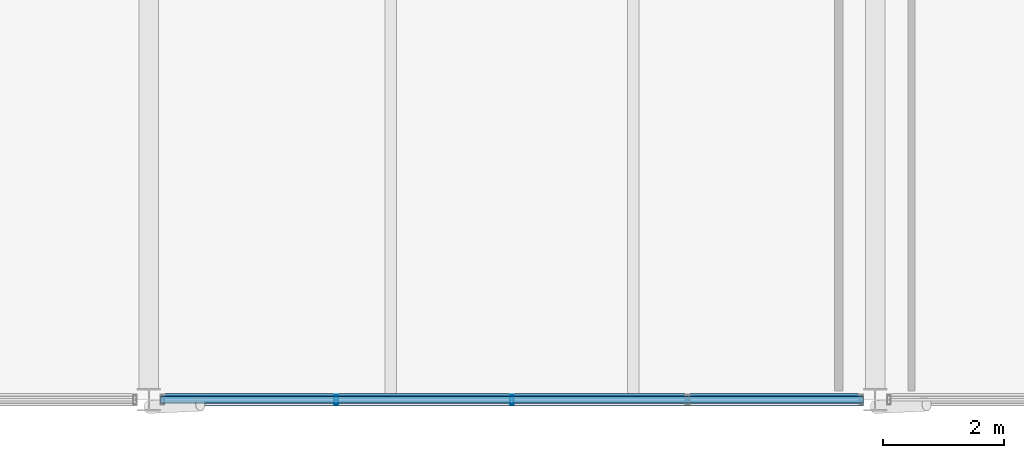
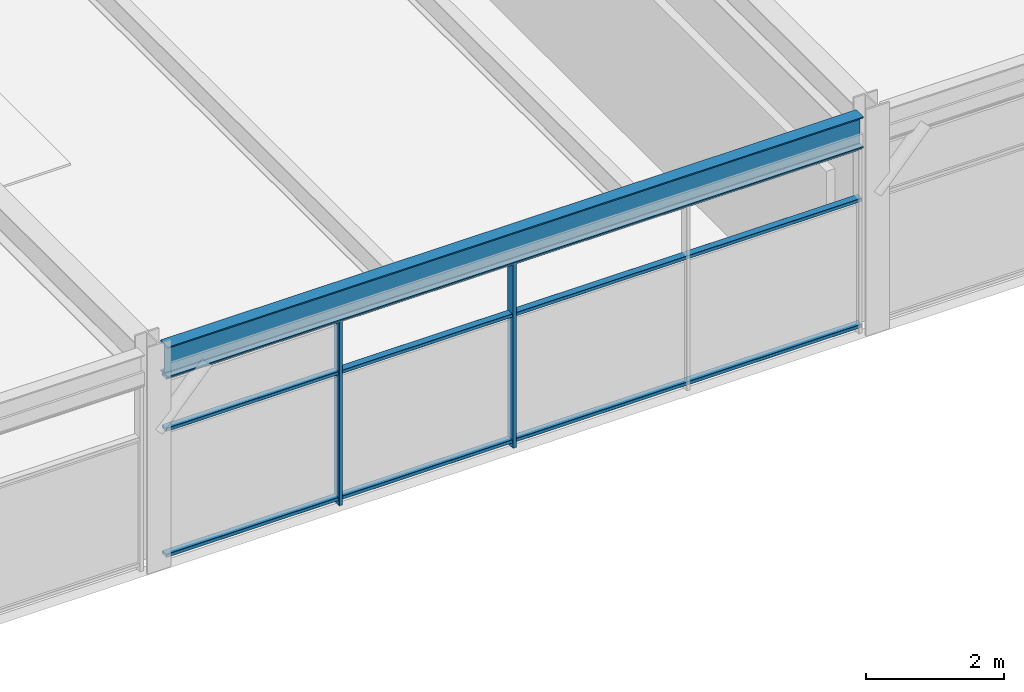
# One storey, part 28 of 51: 5 members, 1 beam, 1 element without a shape of its own.
"""IFC4 building model written with IfcOpenShell, lengths in metres."""

from ifc_helpers import new_model, si_unit, direction, frame, origin, origin_2d, place, context, subcontext, project, spatial, hollow_rectangle, i_section, extrude, material, material_profile, profile_set, type_object, element, aggregate, save


model = new_model("IFC4")

# Units and contexts
model_context = context("Model", 3, precision=1e-05, world=origin(), true_north=direction((0.0, 1.0)))
body_context = subcontext(model_context, "Body", "Model", "MODEL_VIEW")
ifc_project = project(units=[si_unit("LENGTHUNIT", "METRE"), si_unit("AREAUNIT", "SQUARE_METRE"), si_unit("VOLUMEUNIT", "CUBIC_METRE"), si_unit("PLANEANGLEUNIT", "RADIAN"), si_unit("MASSUNIT", "GRAM", prefix="KILO")], contexts=[model_context])

# Site, building, storey
site_placement = place(None, origin())
site = spatial("IfcSite", under=ifc_project, at=site_placement, CompositionType="ELEMENT")
building_placement = place(site_placement, origin())
building = spatial("IfcBuilding", under=site, at=building_placement, Name="Girod Span Mobility Hub", CompositionType="ELEMENT")
storey_placement = place(building_placement, frame((0.0, 0.0, 41.60009765625)))
storey = spatial("IfcBuildingStorey", under=building, at=storey_placement, Name="L10", CompositionType="ELEMENT", Elevation=41.60009765625)

# Beam
ifc_material_1 = material(Name="Steel A992 Grade 50", Category="steel")
ifc_material_profile_1 = material_profile(ifc_material_1, i_section(OverallWidth=0.2119140625, OverallDepth=0.5439453125, WebThickness=0.01318359375, FlangeThickness=0.021240234375, FilletRadius=0.014892578125, at=origin_2d()), Name="W21X83")
ifc_profile_set_1 = profile_set([ifc_material_profile_1], Name="Steel A992 Grade 50")
beam_type = type_object("IfcBeamType", Name="BM-STL-W21X83", PredefinedType="SPANDREL", material=ifc_profile_set_1)
beam_placement = place(storey_placement, frame((96.194091796875, 27.0, 3.552978515625), z_axis=(1.0, 0.0, 0.0), x_axis=(0.0, 1.0, 0.0)))
element("IfcBeam", 1, at=beam_placement, inside=storey, type_object=beam_type, Name="Girder 9-10/C L10", PredefinedType="SPANDREL", context=body_context, shape_type="SweptSolid", body=[
    extrude(i_section(OverallWidth=0.2119140625, OverallDepth=0.5439453125, WebThickness=0.01318359375, FlangeThickness=0.021240234375, FilletRadius=0.014892578125, at=origin_2d()), origin(), (0.0, 0.0, 1.0), 11.61181640625),
])

# Curtain wall, members
ifc_material_2 = material(Name="Thermally Broken Anodised Aluminium", Category="aluminium")
curtain_wall_type = type_object("IfcCurtainWallType", Name="CW-1161X328", PredefinedType="USERDEFINED", material=ifc_material_2)
curtain_wall_placement = place(storey_placement, origin())
curtain_wall = element("IfcCurtainWall", 2, at=curtain_wall_placement, inside=storey, type_object=curtain_wall_type, Name="Unitised Curtain Wall CW-L10-S09 L10", ObjectType="UNITISED CURTAIN WALL", PredefinedType="USERDEFINED")
ifc_material_3 = material(Name="Thermally Broken Anodised Aluminium", Category="aluminium")
ifc_material_profile_2 = material_profile(ifc_material_3, hollow_rectangle(XDim=0.159912109375, YDim=0.06005859375, WallThickness=0.00341796875, InnerFilletRadius=0.00341796875, OuterFilletRadius=0.007080078125, at=origin_2d()), Name="CW-ML-60X160")
ifc_profile_set_2 = profile_set([ifc_material_profile_2], Name="Thermally Broken Anodised Aluminium")
member_type_1 = type_object("IfcMemberType", Name="CWM-ML-3", PredefinedType="MULLION", material=ifc_profile_set_2)
member_1_placement = place(storey_placement, frame((99.097412109375, 27.0, 0.0), z_axis=(0.0, 0.0, 1.0), x_axis=(0.0, 1.0, 0.0)))
member_1 = element("IfcMember", 3, at=member_1_placement, type_object=member_type_1, Name="Curtain Wall Mullion CW-L10-S09-M1", PredefinedType="MULLION", context=body_context, shape_type="SweptSolid", body=[
    extrude(hollow_rectangle(XDim=0.159912109375, YDim=0.06005859375, WallThickness=0.00341796875, InnerFilletRadius=0.00341796875, OuterFilletRadius=0.007080078125, at=origin_2d()), origin(), (0.0, 0.0, 1.0), 3.281005859375),
])
member_2_placement = place(storey_placement, frame((102.0, 27.0, 0.0), z_axis=(0.0, 0.0, 1.0), x_axis=(0.0, 1.0, 0.0)))
member_2 = element("IfcMember", 4, at=member_2_placement, type_object=member_type_1, Name="Curtain Wall Mullion CW-L10-S09-M2", PredefinedType="MULLION", context=body_context, shape_type="SweptSolid", body=[
    extrude(hollow_rectangle(XDim=0.159912109375, YDim=0.06005859375, WallThickness=0.00341796875, InnerFilletRadius=0.00341796875, OuterFilletRadius=0.007080078125, at=origin_2d()), origin(), (0.0, 0.0, 1.0), 3.281005859375),
])
ifc_material_4 = material(Name="Thermally Broken Anodised Aluminium", Category="aluminium")
ifc_material_profile_3 = material_profile(ifc_material_4, hollow_rectangle(XDim=0.1201171875, YDim=0.06005859375, WallThickness=0.00341796875, InnerFilletRadius=0.00341796875, OuterFilletRadius=0.007080078125, at=origin_2d()), Name="CW-TR-60X120")
ifc_profile_set_3 = profile_set([ifc_material_profile_3], Name="Thermally Broken Anodised Aluminium")
member_type_2 = type_object("IfcMemberType", Name="CWM-TR-3", PredefinedType="USERDEFINED", material=ifc_profile_set_3)
member_3_placement = place(storey_placement, frame((96.195068359375, 27.0, 0.10986328125), z_axis=(1.0, 0.0, 0.0), x_axis=(0.0, 1.0, 0.0)))
member_3 = element("IfcMember", 5, at=member_3_placement, type_object=member_type_2, Name="Curtain Wall Transom CW-L10-S09-T1", ObjectType="TRANSOM", PredefinedType="USERDEFINED", context=body_context, shape_type="SweptSolid", body=[
    extrude(hollow_rectangle(XDim=0.1201171875, YDim=0.06005859375, WallThickness=0.00341796875, InnerFilletRadius=0.00341796875, OuterFilletRadius=0.007080078125, at=origin_2d()), origin(), (0.0, 0.0, 1.0), 11.60986328125),
])
member_4_placement = place(storey_placement, frame((96.195068359375, 27.0, 2.332275390625), z_axis=(1.0, 0.0, 0.0), x_axis=(0.0, 1.0, 0.0)))
member_4 = element("IfcMember", 6, at=member_4_placement, type_object=member_type_2, Name="Curtain Wall Transom CW-L10-S09-T2", ObjectType="TRANSOM", PredefinedType="USERDEFINED", context=body_context, shape_type="SweptSolid", body=[
    extrude(hollow_rectangle(XDim=0.1201171875, YDim=0.06005859375, WallThickness=0.00341796875, InnerFilletRadius=0.00341796875, OuterFilletRadius=0.007080078125, at=origin_2d()), origin(), (0.0, 0.0, 1.0), 11.60986328125),
])
member_5_placement = place(storey_placement, frame((96.195068359375, 27.0, 3.2509765625), z_axis=(1.0, 0.0, 0.0), x_axis=(0.0, 1.0, 0.0)))
member_5 = element("IfcMember", 7, at=member_5_placement, type_object=member_type_2, Name="Curtain Wall Transom CW-L10-S09-T3", ObjectType="TRANSOM", PredefinedType="USERDEFINED", context=body_context, shape_type="SweptSolid", body=[
    extrude(hollow_rectangle(XDim=0.1201171875, YDim=0.06005859375, WallThickness=0.00341796875, InnerFilletRadius=0.00341796875, OuterFilletRadius=0.007080078125, at=origin_2d()), origin(), (0.0, 0.0, 1.0), 11.60986328125),
])
aggregate(curtain_wall, [member_1, member_2, member_3, member_4, member_5])

save(model, "model.ifc")
